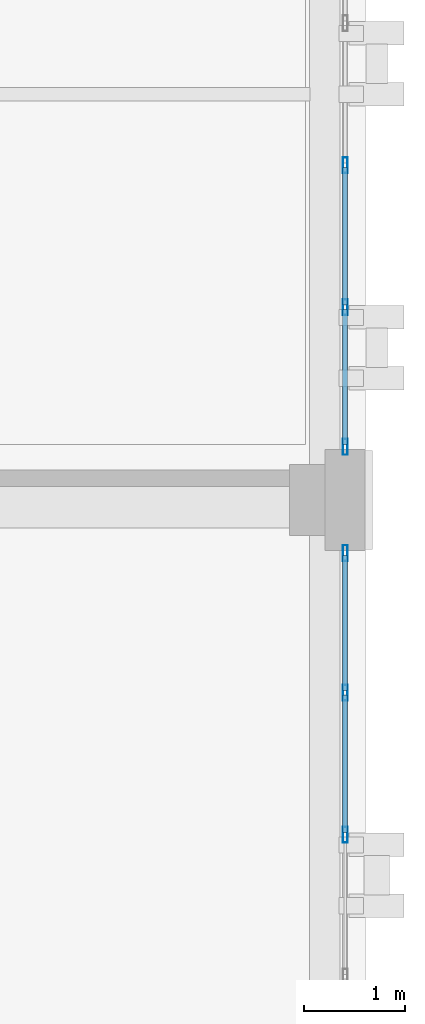
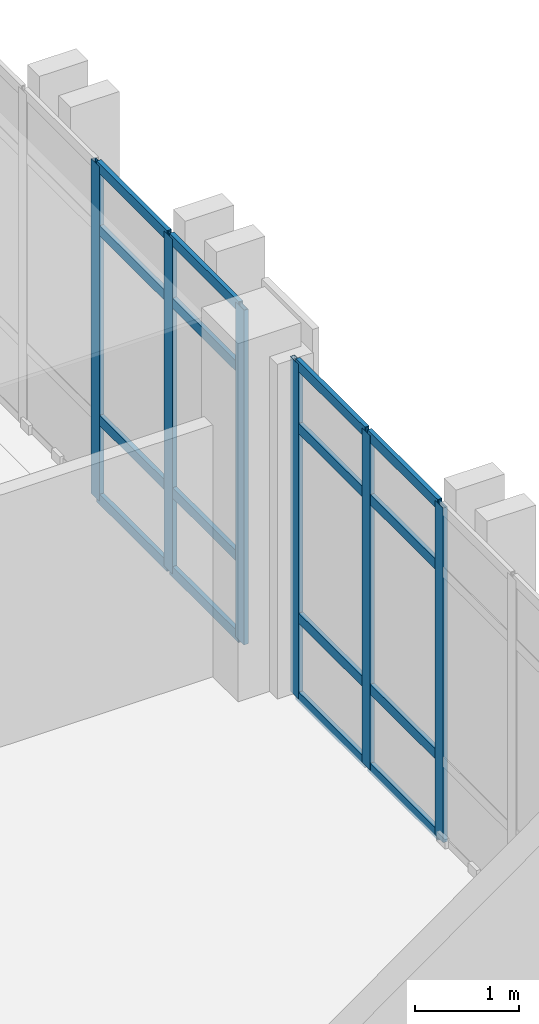
# One storey, part 61 of 158: 22 members, 2 elements without a shape of their own.
"""IFC4 building model written with IfcOpenShell, lengths in metres."""

from ifc_helpers import new_model, si_unit, direction, frame, origin, origin_2d, place, context, subcontext, project, spatial, hollow_rectangle, extrude, material, layer, layer_set, material_profile, profile_set, type_object, element, aggregate, save


model = new_model("IFC4")

# Units and contexts
model_context = context("Model", 3, precision=1e-05, world=origin(), true_north=direction((0.0, 1.0)))
body_context = subcontext(model_context, "Body", "Model", "MODEL_VIEW")
ifc_project = project(units=[si_unit("LENGTHUNIT", "METRE"), si_unit("AREAUNIT", "SQUARE_METRE"), si_unit("VOLUMEUNIT", "CUBIC_METRE"), si_unit("PLANEANGLEUNIT", "RADIAN"), si_unit("MASSUNIT", "GRAM", prefix="KILO")], contexts=[model_context])

# Site, building, storey
site_placement = place(None, origin())
site = spatial("IfcSite", under=ifc_project, at=site_placement, CompositionType="ELEMENT")
building_placement = place(site_placement, origin())
building = spatial("IfcBuilding", under=site, at=building_placement, Name="Qalavern Law Courts", CompositionType="ELEMENT")
storey_placement = place(building_placement, frame((0.0, 0.0, 18.60009765625)))
storey = spatial("IfcBuildingStorey", under=building, at=storey_placement, Name="L04", CompositionType="ELEMENT", Elevation=18.60009765625)

# Curtain wall, members
ifc_material_1 = material(Name="Anodised aluminium and insulated glazing", Category="aluminium")
ifc_layer = layer(ifc_material_1, 0.159912109375)
ifc_layer_set = layer_set([ifc_layer], Name="Anodised aluminium and insulated glazing")
curtain_wall_type = type_object("IfcCurtainWallType", Name="ENV-CW-CHAMB", PredefinedType="USERDEFINED", material=ifc_layer_set)
curtain_wall_1_placement = place(storey_placement, origin())
curtain_wall_1 = element("IfcCurtainWall", 1, at=curtain_wall_1_placement, inside=storey, type_object=curtain_wall_type, Name="V4 unitised curtain wall L04 east 2", ObjectType="UNITISED CURTAIN WALL", PredefinedType="USERDEFINED")
ifc_material_2 = material(Name="Anodised aluminium", Category="aluminium")
ifc_material_profile_1 = material_profile(ifc_material_2, hollow_rectangle(XDim=0.048095703125, YDim=0.159912109375, WallThickness=0.00390625, at=origin_2d()), Name="ALU MULLION 48x160")
ifc_profile_set_1 = profile_set([ifc_material_profile_1], Name="Anodised aluminium")
member_type_1 = type_object("IfcMemberType", Name="ENV-CWM-48x160", PredefinedType="MULLION", material=ifc_profile_set_1)
member_1_placement = place(storey_placement, frame((106.60009765625, 54.10009765625, 0.0), z_axis=(0.0, 0.0, 1.0), x_axis=(-1.0, 0.0, 0.0)))
member_1 = element("IfcMember", 2, at=member_1_placement, type_object=member_type_1, Name="CW-04 mullion 4", PredefinedType="MULLION", context=body_context, shape_type="SweptSolid", body=[
    extrude(hollow_rectangle(XDim=0.048095703125, YDim=0.159912109375, WallThickness=0.00390625, at=origin_2d()), origin(), (0.0, 0.0, 1.0), 3.9248046875),
])
member_2_placement = place(storey_placement, frame((106.60009765625, 55.5, 0.0), z_axis=(0.0, 0.0, 1.0), x_axis=(-1.0, 0.0, 0.0)))
member_2 = element("IfcMember", 3, at=member_2_placement, type_object=member_type_1, Name="CW-04 mullion 5", PredefinedType="MULLION", context=body_context, shape_type="SweptSolid", body=[
    extrude(hollow_rectangle(XDim=0.048095703125, YDim=0.159912109375, WallThickness=0.00390625, at=origin_2d()), origin(), (0.0, 0.0, 1.0), 3.9248046875),
])
member_3_placement = place(storey_placement, frame((106.60009765625, 56.8759765625, 0.0), z_axis=(0.0, 0.0, 1.0), x_axis=(-1.0, 0.0, 0.0)))
member_3 = element("IfcMember", 4, at=member_3_placement, type_object=member_type_1, Name="CW-04 mullion 6", PredefinedType="MULLION", context=body_context, shape_type="SweptSolid", body=[
    extrude(hollow_rectangle(XDim=0.048095703125, YDim=0.159912109375, WallThickness=0.00390625, at=origin_2d()), origin(), (0.0, 0.0, 1.0), 3.9248046875),
])

curtain_wall_2_placement = place(storey_placement, origin())
curtain_wall_2 = element("IfcCurtainWall", 5, at=curtain_wall_2_placement, inside=storey, type_object=curtain_wall_type, Name="V4 unitised curtain wall L04 east 3", ObjectType="UNITISED CURTAIN WALL", PredefinedType="USERDEFINED")
member_4_placement = place(storey_placement, frame((106.60009765625, 57.924072265625, 0.0), z_axis=(0.0, 0.0, 1.0), x_axis=(-1.0, 0.0, 0.0)))
member_4 = element("IfcMember", 6, at=member_4_placement, type_object=member_type_1, Name="CW-04 mullion 1", PredefinedType="MULLION", context=body_context, shape_type="SweptSolid", body=[
    extrude(hollow_rectangle(XDim=0.048095703125, YDim=0.159912109375, WallThickness=0.00390625, at=origin_2d()), origin(), (0.0, 0.0, 1.0), 3.9248046875),
])
member_5_placement = place(storey_placement, frame((106.60009765625, 59.300048828125, 0.0), z_axis=(0.0, 0.0, 1.0), x_axis=(-1.0, 0.0, 0.0)))
member_5 = element("IfcMember", 7, at=member_5_placement, type_object=member_type_1, Name="CW-04 mullion 2", PredefinedType="MULLION", context=body_context, shape_type="SweptSolid", body=[
    extrude(hollow_rectangle(XDim=0.048095703125, YDim=0.159912109375, WallThickness=0.00390625, at=origin_2d()), origin(), (0.0, 0.0, 1.0), 3.9248046875),
])
member_6_placement = place(storey_placement, frame((106.60009765625, 60.699951171875, 0.0), z_axis=(0.0, 0.0, 1.0), x_axis=(-1.0, 0.0, 0.0)))
member_6 = element("IfcMember", 8, at=member_6_placement, type_object=member_type_1, Name="CW-04 mullion 3", PredefinedType="MULLION", context=body_context, shape_type="SweptSolid", body=[
    extrude(hollow_rectangle(XDim=0.048095703125, YDim=0.159912109375, WallThickness=0.00390625, at=origin_2d()), origin(), (0.0, 0.0, 1.0), 3.9248046875),
])

# Member
ifc_material_profile_2 = material_profile(ifc_material_2, hollow_rectangle(XDim=0.048095703125, YDim=0.1201171875, WallThickness=0.00390625, at=origin_2d()), Name="ALU TRANSOM 48x120")
ifc_profile_set_2 = profile_set([ifc_material_profile_2], Name="Anodised aluminium")
member_type_2 = type_object("IfcMemberType", Name="ENV-CWT-48x120", PredefinedType="USERDEFINED", material=ifc_profile_set_2)
member_7_placement = place(storey_placement, frame((106.60009765625, 54.1240234375, 0.02392578125), z_axis=(0.0, 1.0, 0.0), x_axis=(-1.0, 0.0, 0.0)))
member_7 = element("IfcMember", 9, at=member_7_placement, type_object=member_type_2, Name="CW-04 transom 4.1", ObjectType="TRANSOM", PredefinedType="USERDEFINED", context=body_context, shape_type="SweptSolid", body=[
    extrude(hollow_rectangle(XDim=0.048095703125, YDim=0.1201171875, WallThickness=0.00390625, at=origin_2d()), origin(), (0.0, 0.0, 1.0), 1.35205078125),
])

member_8_placement = place(storey_placement, frame((106.60009765625, 54.1240234375, 0.949951171875), z_axis=(0.0, 1.0, 0.0), x_axis=(-1.0, 0.0, 0.0)))
member_8 = element("IfcMember", 10, at=member_8_placement, type_object=member_type_2, Name="CW-04 transom 4.2", ObjectType="TRANSOM", PredefinedType="USERDEFINED", context=body_context, shape_type="SweptSolid", body=[
    extrude(hollow_rectangle(XDim=0.048095703125, YDim=0.1201171875, WallThickness=0.00390625, at=origin_2d()), origin(), (0.0, 0.0, 1.0), 1.35205078125),
])

member_9_placement = place(storey_placement, frame((106.60009765625, 54.1240234375, 3.1748046875), z_axis=(0.0, 1.0, 0.0), x_axis=(-1.0, 0.0, 0.0)))
member_9 = element("IfcMember", 11, at=member_9_placement, type_object=member_type_2, Name="CW-04 transom 4.3", ObjectType="TRANSOM", PredefinedType="USERDEFINED", context=body_context, shape_type="SweptSolid", body=[
    extrude(hollow_rectangle(XDim=0.048095703125, YDim=0.1201171875, WallThickness=0.00390625, at=origin_2d()), origin(), (0.0, 0.0, 1.0), 1.35205078125),
])

member_10_placement = place(storey_placement, frame((106.60009765625, 54.1240234375, 3.90087890625), z_axis=(0.0, 1.0, 0.0), x_axis=(-1.0, 0.0, 0.0)))
member_10 = element("IfcMember", 12, at=member_10_placement, type_object=member_type_2, Name="CW-04 transom 4.4", ObjectType="TRANSOM", PredefinedType="USERDEFINED", context=body_context, shape_type="SweptSolid", body=[
    extrude(hollow_rectangle(XDim=0.048095703125, YDim=0.1201171875, WallThickness=0.00390625, at=origin_2d()), origin(), (0.0, 0.0, 1.0), 1.35205078125),
])

member_11_placement = place(storey_placement, frame((106.60009765625, 55.52392578125, 0.02392578125), z_axis=(0.0, 1.0, 0.0), x_axis=(-1.0, 0.0, 0.0)))
member_11 = element("IfcMember", 13, at=member_11_placement, type_object=member_type_2, Name="CW-04 transom 5.1", ObjectType="TRANSOM", PredefinedType="USERDEFINED", context=body_context, shape_type="SweptSolid", body=[
    extrude(hollow_rectangle(XDim=0.048095703125, YDim=0.1201171875, WallThickness=0.00390625, at=origin_2d()), origin(), (0.0, 0.0, 1.0), 1.328125),
])

member_12_placement = place(storey_placement, frame((106.60009765625, 55.52392578125, 0.949951171875), z_axis=(0.0, 1.0, 0.0), x_axis=(-1.0, 0.0, 0.0)))
member_12 = element("IfcMember", 14, at=member_12_placement, type_object=member_type_2, Name="CW-04 transom 5.2", ObjectType="TRANSOM", PredefinedType="USERDEFINED", context=body_context, shape_type="SweptSolid", body=[
    extrude(hollow_rectangle(XDim=0.048095703125, YDim=0.1201171875, WallThickness=0.00390625, at=origin_2d()), origin(), (0.0, 0.0, 1.0), 1.328125),
])

member_13_placement = place(storey_placement, frame((106.60009765625, 55.52392578125, 3.1748046875), z_axis=(0.0, 1.0, 0.0), x_axis=(-1.0, 0.0, 0.0)))
member_13 = element("IfcMember", 15, at=member_13_placement, type_object=member_type_2, Name="CW-04 transom 5.3", ObjectType="TRANSOM", PredefinedType="USERDEFINED", context=body_context, shape_type="SweptSolid", body=[
    extrude(hollow_rectangle(XDim=0.048095703125, YDim=0.1201171875, WallThickness=0.00390625, at=origin_2d()), origin(), (0.0, 0.0, 1.0), 1.328125),
])

member_14_placement = place(storey_placement, frame((106.60009765625, 55.52392578125, 3.90087890625), z_axis=(0.0, 1.0, 0.0), x_axis=(-1.0, 0.0, 0.0)))
member_14 = element("IfcMember", 16, at=member_14_placement, type_object=member_type_2, Name="CW-04 transom 5.4", ObjectType="TRANSOM", PredefinedType="USERDEFINED", context=body_context, shape_type="SweptSolid", body=[
    extrude(hollow_rectangle(XDim=0.048095703125, YDim=0.1201171875, WallThickness=0.00390625, at=origin_2d()), origin(), (0.0, 0.0, 1.0), 1.328125),
])

aggregate(curtain_wall_1, [member_1, member_2, member_3, member_7, member_8, member_9, member_10, member_11, member_12, member_13, member_14])

member_15_placement = place(storey_placement, frame((106.60009765625, 57.947998046875, 0.02392578125), z_axis=(0.0, 1.0, 0.0), x_axis=(-1.0, 0.0, 0.0)))
member_15 = element("IfcMember", 17, at=member_15_placement, type_object=member_type_2, Name="CW-04 transom 1.1", ObjectType="TRANSOM", PredefinedType="USERDEFINED", context=body_context, shape_type="SweptSolid", body=[
    extrude(hollow_rectangle(XDim=0.048095703125, YDim=0.1201171875, WallThickness=0.00390625, at=origin_2d()), origin(), (0.0, 0.0, 1.0), 1.327880859375),
])

member_16_placement = place(storey_placement, frame((106.60009765625, 57.947998046875, 0.949951171875), z_axis=(0.0, 1.0, 0.0), x_axis=(-1.0, 0.0, 0.0)))
member_16 = element("IfcMember", 18, at=member_16_placement, type_object=member_type_2, Name="CW-04 transom 1.2", ObjectType="TRANSOM", PredefinedType="USERDEFINED", context=body_context, shape_type="SweptSolid", body=[
    extrude(hollow_rectangle(XDim=0.048095703125, YDim=0.1201171875, WallThickness=0.00390625, at=origin_2d()), origin(), (0.0, 0.0, 1.0), 1.327880859375),
])

member_17_placement = place(storey_placement, frame((106.60009765625, 57.947998046875, 3.1748046875), z_axis=(0.0, 1.0, 0.0), x_axis=(-1.0, 0.0, 0.0)))
member_17 = element("IfcMember", 19, at=member_17_placement, type_object=member_type_2, Name="CW-04 transom 1.3", ObjectType="TRANSOM", PredefinedType="USERDEFINED", context=body_context, shape_type="SweptSolid", body=[
    extrude(hollow_rectangle(XDim=0.048095703125, YDim=0.1201171875, WallThickness=0.00390625, at=origin_2d()), origin(), (0.0, 0.0, 1.0), 1.327880859375),
])

member_18_placement = place(storey_placement, frame((106.60009765625, 57.947998046875, 3.90087890625), z_axis=(0.0, 1.0, 0.0), x_axis=(-1.0, 0.0, 0.0)))
member_18 = element("IfcMember", 20, at=member_18_placement, type_object=member_type_2, Name="CW-04 transom 1.4", ObjectType="TRANSOM", PredefinedType="USERDEFINED", context=body_context, shape_type="SweptSolid", body=[
    extrude(hollow_rectangle(XDim=0.048095703125, YDim=0.1201171875, WallThickness=0.00390625, at=origin_2d()), origin(), (0.0, 0.0, 1.0), 1.327880859375),
])

member_19_placement = place(storey_placement, frame((106.60009765625, 59.323974609375, 0.02392578125), z_axis=(0.0, 1.0, 0.0), x_axis=(-1.0, 0.0, 0.0)))
member_19 = element("IfcMember", 21, at=member_19_placement, type_object=member_type_2, Name="CW-04 transom 2.1", ObjectType="TRANSOM", PredefinedType="USERDEFINED", context=body_context, shape_type="SweptSolid", body=[
    extrude(hollow_rectangle(XDim=0.048095703125, YDim=0.1201171875, WallThickness=0.00390625, at=origin_2d()), origin(), (0.0, 0.0, 1.0), 1.35205078125),
])

member_20_placement = place(storey_placement, frame((106.60009765625, 59.323974609375, 0.949951171875), z_axis=(0.0, 1.0, 0.0), x_axis=(-1.0, 0.0, 0.0)))
member_20 = element("IfcMember", 22, at=member_20_placement, type_object=member_type_2, Name="CW-04 transom 2.2", ObjectType="TRANSOM", PredefinedType="USERDEFINED", context=body_context, shape_type="SweptSolid", body=[
    extrude(hollow_rectangle(XDim=0.048095703125, YDim=0.1201171875, WallThickness=0.00390625, at=origin_2d()), origin(), (0.0, 0.0, 1.0), 1.35205078125),
])

member_21_placement = place(storey_placement, frame((106.60009765625, 59.323974609375, 3.1748046875), z_axis=(0.0, 1.0, 0.0), x_axis=(-1.0, 0.0, 0.0)))
member_21 = element("IfcMember", 23, at=member_21_placement, type_object=member_type_2, Name="CW-04 transom 2.3", ObjectType="TRANSOM", PredefinedType="USERDEFINED", context=body_context, shape_type="SweptSolid", body=[
    extrude(hollow_rectangle(XDim=0.048095703125, YDim=0.1201171875, WallThickness=0.00390625, at=origin_2d()), origin(), (0.0, 0.0, 1.0), 1.35205078125),
])

member_22_placement = place(storey_placement, frame((106.60009765625, 59.323974609375, 3.90087890625), z_axis=(0.0, 1.0, 0.0), x_axis=(-1.0, 0.0, 0.0)))
member_22 = element("IfcMember", 24, at=member_22_placement, type_object=member_type_2, Name="CW-04 transom 2.4", ObjectType="TRANSOM", PredefinedType="USERDEFINED", context=body_context, shape_type="SweptSolid", body=[
    extrude(hollow_rectangle(XDim=0.048095703125, YDim=0.1201171875, WallThickness=0.00390625, at=origin_2d()), origin(), (0.0, 0.0, 1.0), 1.35205078125),
])

aggregate(curtain_wall_2, [member_4, member_5, member_6, member_15, member_16, member_17, member_18, member_19, member_20, member_21, member_22])

save(model, "model.ifc")
